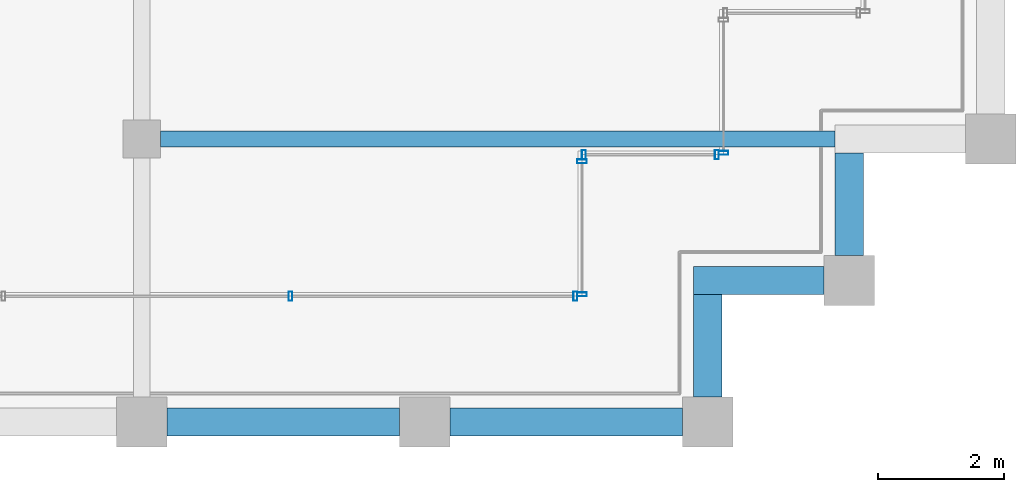
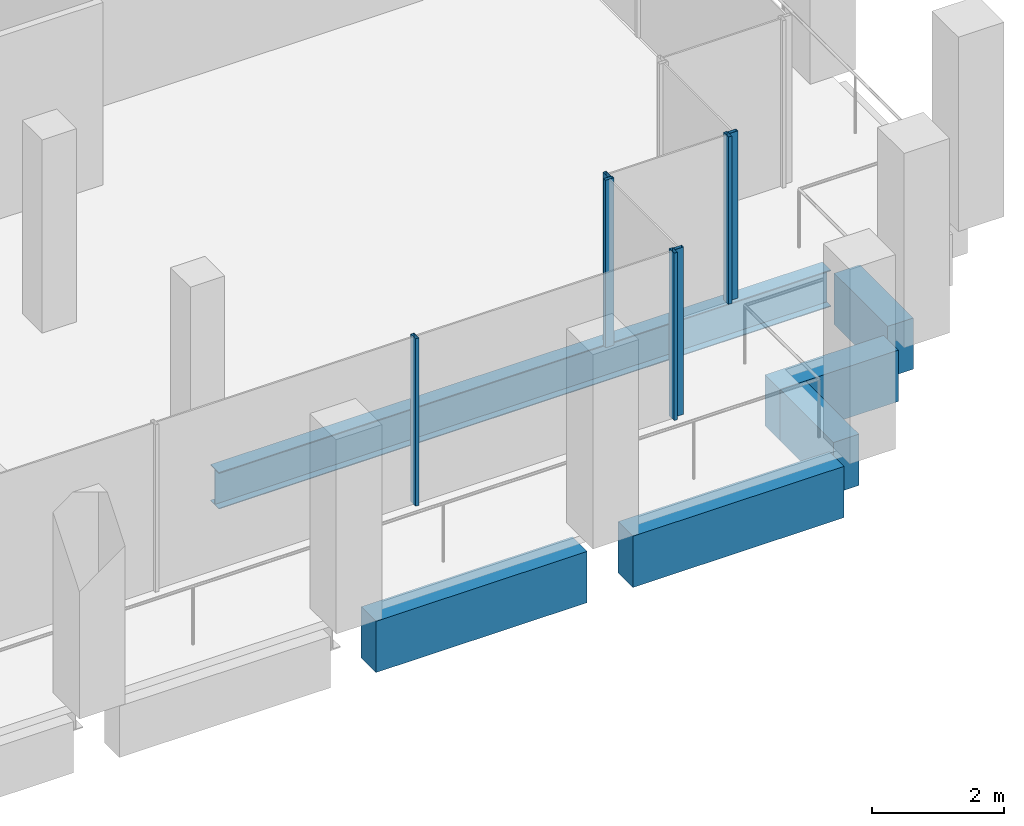
# One storey, part 12 of 30: 7 members, 6 beams, 4 elements without a shape of their own.
"""IFC4 building model written with IfcOpenShell, lengths in metres."""

from ifc_helpers import new_model, si_unit, direction, frame, origin, origin_2d, place, context, subcontext, project, spatial, rectangle, hollow_rectangle, i_section, extrude, material, material_profile, profile_set, type_object, element, aggregate, save


model = new_model("IFC4")

# Units and contexts
model_context = context("Model", 3, precision=1e-05, world=origin(), true_north=direction((0.0, 1.0)))
body_context = subcontext(model_context, "Body", "Model", "MODEL_VIEW")
ifc_project = project(units=[si_unit("LENGTHUNIT", "METRE"), si_unit("AREAUNIT", "SQUARE_METRE"), si_unit("VOLUMEUNIT", "CUBIC_METRE"), si_unit("PLANEANGLEUNIT", "RADIAN"), si_unit("MASSUNIT", "GRAM", prefix="KILO")], contexts=[model_context])

# Site, building, storey
site_placement = place(None, origin())
site = spatial("IfcSite", under=ifc_project, at=site_placement, CompositionType="ELEMENT")
building_placement = place(site_placement, origin())
building = spatial("IfcBuilding", under=site, at=building_placement, Name="Altepetl Exchange Towers", CompositionType="ELEMENT")
storey_placement = place(building_placement, frame((0.0, 0.0, 242.39990234375)))
storey = spatial("IfcBuildingStorey", under=building, at=storey_placement, Name="L62", CompositionType="ELEMENT", Elevation=242.39990234375)

# Beam
ifc_material_1 = material(Name="Steel S355", Category="steel")
ifc_material_profile_1 = material_profile(ifc_material_1, i_section(OverallWidth=0.2529296875, OverallDepth=0.677978515625, WebThickness=0.01171875, FlangeThickness=0.016357421875, at=origin_2d()), Name="W27X84")
ifc_profile_set_1 = profile_set([ifc_material_profile_1], Name="Steel S355")
beam_type_1 = type_object("IfcBeamType", Name="Floor beam W27X84", PredefinedType="BEAM", material=ifc_profile_set_1)
beam_1_placement = place(storey_placement, frame((58.800048828125, 31.5, -0.489013671875), z_axis=(1.0, 0.0, 0.0), x_axis=(0.0, 1.0, 0.0)))
element("IfcBeam", 1, at=beam_1_placement, inside=storey, type_object=beam_type_1, Name="bm:A:L62:006", PredefinedType="BEAM", context=body_context, shape_type="SweptSolid", body=[
    extrude(i_section(OverallWidth=0.2529296875, OverallDepth=0.677978515625, WebThickness=0.01171875, FlangeThickness=0.016357421875, at=origin_2d()), origin(), (0.0, 0.0, 1.0), 10.724853515625),
])

# Curtain wall, members
ifc_material_2 = material(Name="Aluminium 6063-T6 glazing", Category="aluminium")
curtain_wall_type = type_object("IfcCurtainWallType", Name="Loggia glazing system", PredefinedType="NOTDEFINED", material=ifc_material_2)
curtain_wall_1_placement = place(storey_placement, origin())
curtain_wall_1 = element("IfcCurtainWall", 2, at=curtain_wall_1_placement, inside=storey, type_object=curtain_wall_type, Name="CW1 run", PredefinedType="NOTDEFINED")
ifc_material_3 = material(Name="Aluminium 6063-T6", Category="aluminium")
ifc_material_profile_2 = material_profile(ifc_material_3, hollow_rectangle(XDim=0.06005859375, YDim=0.14990234375, WallThickness=0.0029296875, at=origin_2d()), Name="Mullion 60x150 aluminium")
ifc_profile_set_2 = profile_set([ifc_material_profile_2], Name="Aluminium 6063-T6")
member_type = type_object("IfcMemberType", Name="Mullion 60x150 aluminium", PredefinedType="MULLION", material=ifc_profile_set_2)
member_1_placement = place(storey_placement, frame((60.8642578125, 29.0, 0.0)))
member_1 = element("IfcMember", 3, at=member_1_placement, type_object=member_type, Name="MU1 mullion", PredefinedType="MULLION", context=body_context, shape_type="SweptSolid", body=[
    extrude(hollow_rectangle(XDim=0.06005859375, YDim=0.14990234375, WallThickness=0.0029296875, at=origin_2d()), origin(), (0.0, 0.0, 1.0), 3.10009765625),
])
member_2_placement = place(storey_placement, frame((65.39501953125, 29.0, 0.0)))
member_2 = element("IfcMember", 4, at=member_2_placement, type_object=member_type, Name="MU1 mullion", PredefinedType="MULLION", context=body_context, shape_type="SweptSolid", body=[
    extrude(hollow_rectangle(XDim=0.06005859375, YDim=0.14990234375, WallThickness=0.0029296875, at=origin_2d()), origin(), (0.0, 0.0, 1.0), 3.10009765625),
])
aggregate(curtain_wall_1, [member_1, member_2])

curtain_wall_2_placement = place(storey_placement, origin())
curtain_wall_2 = element("IfcCurtainWall", 5, at=curtain_wall_2_placement, inside=storey, type_object=curtain_wall_type, Name="CW1 run", PredefinedType="NOTDEFINED")
member_3_placement = place(storey_placement, frame((65.5, 29.030029296875, 0.0), z_axis=(0.0, 0.0, 1.0), x_axis=(0.0, 1.0, 0.0)))
member_3 = element("IfcMember", 6, at=member_3_placement, type_object=member_type, Name="MU1 mullion", PredefinedType="MULLION", context=body_context, shape_type="SweptSolid", body=[
    extrude(hollow_rectangle(XDim=0.06005859375, YDim=0.14990234375, WallThickness=0.0029296875, at=origin_2d()), origin(), (0.0, 0.0, 1.0), 3.10009765625),
])
member_4_placement = place(storey_placement, frame((65.5, 31.14501953125, 0.0), z_axis=(0.0, 0.0, 1.0), x_axis=(0.0, 1.0, 0.0)))
member_4 = element("IfcMember", 7, at=member_4_placement, type_object=member_type, Name="MU1 mullion", PredefinedType="MULLION", context=body_context, shape_type="SweptSolid", body=[
    extrude(hollow_rectangle(XDim=0.06005859375, YDim=0.14990234375, WallThickness=0.0029296875, at=origin_2d()), origin(), (0.0, 0.0, 1.0), 3.10009765625),
])
aggregate(curtain_wall_2, [member_3, member_4])

curtain_wall_3_placement = place(storey_placement, origin())
curtain_wall_3 = element("IfcCurtainWall", 8, at=curtain_wall_3_placement, inside=storey, type_object=curtain_wall_type, Name="CW1 run", PredefinedType="NOTDEFINED")
member_5_placement = place(storey_placement, frame((65.530029296875, 31.25, 0.0)))
member_5 = element("IfcMember", 9, at=member_5_placement, type_object=member_type, Name="MU1 mullion", PredefinedType="MULLION", context=body_context, shape_type="SweptSolid", body=[
    extrude(hollow_rectangle(XDim=0.06005859375, YDim=0.14990234375, WallThickness=0.0029296875, at=origin_2d()), origin(), (0.0, 0.0, 1.0), 3.10009765625),
])
member_6_placement = place(storey_placement, frame((67.64501953125, 31.25, 0.0)))
member_6 = element("IfcMember", 10, at=member_6_placement, type_object=member_type, Name="MU1 mullion", PredefinedType="MULLION", context=body_context, shape_type="SweptSolid", body=[
    extrude(hollow_rectangle(XDim=0.06005859375, YDim=0.14990234375, WallThickness=0.0029296875, at=origin_2d()), origin(), (0.0, 0.0, 1.0), 3.10009765625),
])
aggregate(curtain_wall_3, [member_5, member_6])

# Curtain wall, member
curtain_wall_4_placement = place(storey_placement, origin())
curtain_wall_4 = element("IfcCurtainWall", 11, at=curtain_wall_4_placement, inside=storey, type_object=curtain_wall_type, Name="CW1 run", PredefinedType="NOTDEFINED")
member_7_placement = place(storey_placement, frame((67.75, 31.280029296875, 0.0), z_axis=(0.0, 0.0, 1.0), x_axis=(0.0, 1.0, 0.0)))
member_7 = element("IfcMember", 12, at=member_7_placement, type_object=member_type, Name="MU1 mullion", PredefinedType="MULLION", context=body_context, shape_type="SweptSolid", body=[
    extrude(hollow_rectangle(XDim=0.06005859375, YDim=0.14990234375, WallThickness=0.0029296875, at=origin_2d()), origin(), (0.0, 0.0, 1.0), 3.10009765625),
])
aggregate(curtain_wall_4, [member_7])

# Beams
ifc_material_4 = material(Name="Concrete C50/60 precast with cantera amarilla facing", Category="concrete")
ifc_material_profile_3 = material_profile(ifc_material_4, rectangle(XDim=0.449951171875, YDim=0.949951171875, at=origin_2d()), Name="450 x 950")
ifc_profile_set_3 = profile_set([ifc_material_profile_3], Name="Concrete C50/60 precast with cantera amarilla facing")
beam_type_2 = type_object("IfcBeamType", Name="Spandrel beam 450x950 cantera amarilla", PredefinedType="SPANDREL", material=ifc_profile_set_3)
for number, where, z_axis, x_axis, name in (
    (13, (58.89990234375, 27.0, -0.625), (1.0, 0.0, 0.0), (0.0, 1.0, 0.0), "sp:A:L62:006"),
    (14, (63.39990234375, 27.0, -0.625), (1.0, 0.0, 0.0), (0.0, 1.0, 0.0), "sp:A:L62:007"),
):
    element("IfcBeam", number, at=place(storey_placement, frame(where, z_axis=z_axis, x_axis=x_axis)), inside=storey, type_object=beam_type_2, Name=name, PredefinedType="SPANDREL", context=body_context, shape_type="SweptSolid", body=[
        extrude(rectangle(XDim=0.449951171875, YDim=0.949951171875, at=origin_2d()), origin(), (0.0, 0.0, 1.0), 3.7001953125),
    ])
beam_2_placement = place(storey_placement, frame((67.5, 27.39990234375, -0.625), z_axis=(0.0, 1.0, 0.0), x_axis=(-1.0, 0.0, 0.0)))
element("IfcBeam", 15, at=beam_2_placement, inside=storey, type_object=beam_type_2, Name="sp:A:L62:008", PredefinedType="SPANDREL", context=body_context, shape_type="SweptSolid", body=[
    extrude(rectangle(XDim=0.449951171875, YDim=0.949951171875, at=origin_2d()), origin(), (0.0, 0.0, 1.0), 1.625),
])
beam_3_placement = place(storey_placement, frame((67.27490234375, 29.25, -0.625), z_axis=(1.0, 0.0, 0.0), x_axis=(0.0, 1.0, 0.0)))
element("IfcBeam", 16, at=beam_3_placement, inside=storey, type_object=beam_type_2, Name="sp:A:L62:009", PredefinedType="SPANDREL", context=body_context, shape_type="SweptSolid", body=[
    extrude(rectangle(XDim=0.449951171875, YDim=0.949951171875, at=origin_2d()), origin(), (0.0, 0.0, 1.0), 2.0751953125),
])
beam_4_placement = place(storey_placement, frame((69.75, 29.64990234375, -0.625), z_axis=(0.0, 1.0, 0.0), x_axis=(-1.0, 0.0, 0.0)))
element("IfcBeam", 17, at=beam_4_placement, inside=storey, type_object=beam_type_2, Name="sp:A:L62:010", PredefinedType="SPANDREL", context=body_context, shape_type="SweptSolid", body=[
    extrude(rectangle(XDim=0.449951171875, YDim=0.949951171875, at=origin_2d()), origin(), (0.0, 0.0, 1.0), 1.625),
])

save(model, "model.ifc")
